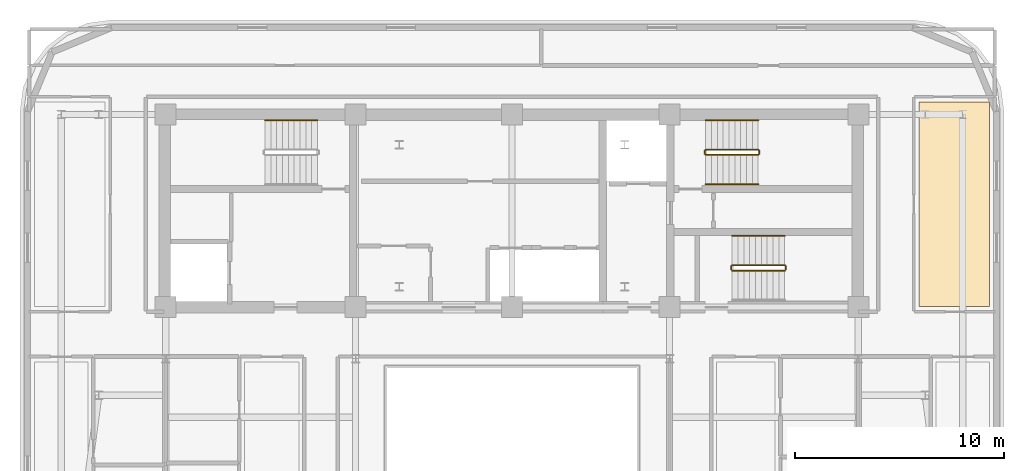
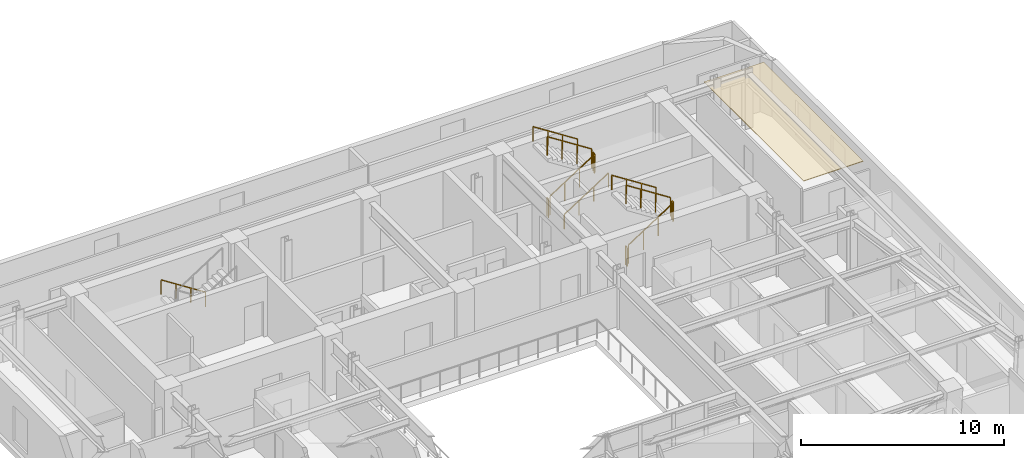
# One storey, part 14 of 14: 12 railings, 1 covering.
"""IFC4 building model written with IfcOpenShell, lengths in metres."""

from ifc_helpers import new_model, si_unit, direction, frame, origin, origin_2d, place, context, subcontext, project, spatial, polyline, rectangle, outline, extrude, material, layer, layer_set, type_object, element, save


model = new_model("IFC4")

# Units and contexts
model_context = context("Model", 3, precision=1e-05, world=origin(), true_north=direction((0.0, 1.0)))
body_context = subcontext(model_context, "Body", "Model", "MODEL_VIEW")
ifc_project = project(units=[si_unit("LENGTHUNIT", "METRE"), si_unit("AREAUNIT", "SQUARE_METRE"), si_unit("VOLUMEUNIT", "CUBIC_METRE"), si_unit("PLANEANGLEUNIT", "RADIAN"), si_unit("MASSUNIT", "GRAM", prefix="KILO")], contexts=[model_context])

# Site, building, storey
site_placement = place(None, origin())
site = spatial("IfcSite", under=ifc_project, at=site_placement, CompositionType="ELEMENT")
building_placement = place(site_placement, origin())
building = spatial("IfcBuilding", under=site, at=building_placement, Name="Zarnavel Station Tower", CompositionType="ELEMENT")
storey_placement = place(building_placement, frame((0.0, 0.0, 193.199951171875)))
storey = spatial("IfcBuildingStorey", under=building, at=storey_placement, Name="L52", CompositionType="ELEMENT", Elevation=193.199951171875)

# Covering
ifc_material_1 = material(Name="Perforated Gypsum and Mineral-Wool Acoustic Ceiling", Category="concrete")
ifc_layer = layer(ifc_material_1, 0.0400390625)
ifc_layer_set = layer_set([ifc_layer], Name="COV_CEIL_ACOUSTIC")
covering_type = type_object("IfcCoveringType", Name="COV_CEIL_ACOUSTIC", PredefinedType="CEILING", material=ifc_layer_set)
covering_placement = place(storey_placement, frame((0.0, 0.0, 3.02001953125)))
element("IfcCovering", 1, at=covering_placement, inside=storey, type_object=covering_type, Name="L52 FNE Acoustic Ceiling", PredefinedType="CEILING", context=body_context, shape_type="SweptSolid", body=[
    extrude(outline(polyline([(48.300048828125, 27.85009765625), (51.68994140625, 27.85009765625), (51.68994140625, 37.64990234375), (48.300048828125, 37.64990234375), (48.300048828125, 27.85009765625)])), origin(), (0.0, 0.0, 1.0), 0.0400390625),
])

# Railings
ifc_material_2 = material(Name="Painted Steel S355J2 Balustrade", Category="steel")
railing_type_1 = type_object("IfcRailingType", Name="GR_INT_1150", PredefinedType="GUARDRAIL", material=ifc_material_2)
railing_1_placement = place(storey_placement, frame((38.080078125, 35.110107421875, 0.179931640625)))
element("IfcRailing", 2, at=railing_1_placement, inside=storey, type_object=railing_type_1, Name="L52 ST2 stair guard 1", PredefinedType="GUARDRAIL", context=body_context, shape_type="SweptSolid", body=[
    extrude(rectangle(XDim=0.048095703125, YDim=0.048095703125, at=origin_2d()), frame((0.001708984375, 0.0, 1.126953125), z_axis=(0.841162588446, 0.0, 0.540782303519), x_axis=(0.0, 1.0, 0.0)), (0.0, 0.0, 1.0), 2.991943359375),
    extrude(rectangle(XDim=0.0419921875, YDim=0.0419921875, at=origin_2d()), origin(), (0.0, 0.0, 1.0), 1.101806640625),
    extrude(rectangle(XDim=0.0419921875, YDim=0.0419921875, at=origin_2d()), frame((0.840087890625, 0.0, 0.5400390625)), (0.0, 0.0, 1.0), 1.101806640625),
    extrude(rectangle(XDim=0.0419921875, YDim=0.0419921875, at=origin_2d()), frame((1.679931640625, 0.0, 1.080078125)), (0.0, 0.0, 1.0), 1.101806640625),
    extrude(rectangle(XDim=0.0419921875, YDim=0.0419921875, at=origin_2d()), frame((2.52001953125, 0.0, 1.6201171875)), (0.0, 0.0, 1.0), 1.101806640625),
])
railing_2_placement = place(storey_placement, frame((40.64990234375, 35.159912109375, 1.800048828125)))
element("IfcRailing", 3, at=railing_2_placement, inside=storey, type_object=railing_type_1, Name="L52 ST2 stair guard 2", PredefinedType="GUARDRAIL", context=body_context, shape_type="SweptSolid", body=[
    extrude(rectangle(XDim=0.048095703125, YDim=0.048095703125, at=origin_2d()), frame((0.0, 0.001953125, 1.1259765625), z_axis=(0.0, 1.0, 0.0), x_axis=(-1.0, 0.0, 0.0)), (0.0, 0.0, 1.0), 0.15625),
    extrude(rectangle(XDim=0.0419921875, YDim=0.0419921875, at=origin_2d()), origin(), (0.0, 0.0, 1.0), 1.101806640625),
    extrude(rectangle(XDim=0.0419921875, YDim=0.0419921875, at=origin_2d()), frame((0.0, 0.16015625, 0.0)), (0.0, 0.0, 1.0), 1.101806640625),
])
railing_3_placement = place(storey_placement, frame((40.60009765625, 35.3701171875, 1.97998046875)))
element("IfcRailing", 4, at=railing_3_placement, inside=storey, type_object=railing_type_1, Name="L52 ST2 stair guard 3", PredefinedType="GUARDRAIL", context=body_context, shape_type="SweptSolid", body=[
    extrude(rectangle(XDim=0.048095703125, YDim=0.048095703125, at=origin_2d()), frame((-0.001708984375, 0.0, 1.126953125), z_axis=(-0.841162588446, 0.0, 0.540782303519), x_axis=(0.0, -1.0, 0.0)), (0.0, 0.0, 1.0), 2.991943359375),
    extrude(rectangle(XDim=0.0419921875, YDim=0.0419921875, at=origin_2d()), origin(), (0.0, 0.0, 1.0), 1.101806640625),
    extrude(rectangle(XDim=0.0419921875, YDim=0.0419921875, at=origin_2d()), frame((-0.840087890625, 0.0, 0.5400390625)), (0.0, 0.0, 1.0), 1.101806640625),
    extrude(rectangle(XDim=0.0419921875, YDim=0.0419921875, at=origin_2d()), frame((-1.679931640625, 0.0, 1.080078125)), (0.0, 0.0, 1.0), 1.101806640625),
    extrude(rectangle(XDim=0.0419921875, YDim=0.0419921875, at=origin_2d()), frame((-2.52001953125, 0.0, 1.6201171875)), (0.0, 0.0, 1.0), 1.101806640625),
])
railing_4_placement = place(storey_placement, frame((38.030029296875, 35.159912109375, 0.0)))
element("IfcRailing", 5, at=railing_4_placement, inside=storey, type_object=railing_type_1, Name="L52 ST2 stair guard 4", PredefinedType="GUARDRAIL", context=body_context, shape_type="SweptSolid", body=[
    extrude(rectangle(XDim=0.048095703125, YDim=0.048095703125, at=origin_2d()), frame((0.0, 0.001953125, 1.1259765625), z_axis=(0.0, 1.0, 0.0), x_axis=(-1.0, 0.0, 0.0)), (0.0, 0.0, 1.0), 0.15625),
    extrude(rectangle(XDim=0.0419921875, YDim=0.0419921875, at=origin_2d()), origin(), (0.0, 0.0, 1.0), 1.101806640625),
    extrude(rectangle(XDim=0.0419921875, YDim=0.0419921875, at=origin_2d()), frame((0.0, 0.16015625, 0.0)), (0.0, 0.0, 1.0), 1.101806640625),
])
railing_5_placement = place(storey_placement, frame((39.35009765625, 29.570068359375, 0.179931640625)))
element("IfcRailing", 6, at=railing_5_placement, inside=storey, type_object=railing_type_1, Name="L52 ST3 stair guard 1", PredefinedType="GUARDRAIL", context=body_context, shape_type="SweptSolid", body=[
    extrude(rectangle(XDim=0.048095703125, YDim=0.048095703125, at=origin_2d()), frame((0.001708984375, 0.0, 1.126953125), z_axis=(0.841162588446, 0.0, 0.540782303519), x_axis=(0.0, 1.0, 0.0)), (0.0, 0.0, 1.0), 2.991943359375),
    extrude(rectangle(XDim=0.0419921875, YDim=0.0419921875, at=origin_2d()), origin(), (0.0, 0.0, 1.0), 1.101806640625),
    extrude(rectangle(XDim=0.0419921875, YDim=0.0419921875, at=origin_2d()), frame((0.840087890625, 0.0, 0.5400390625)), (0.0, 0.0, 1.0), 1.101806640625),
    extrude(rectangle(XDim=0.0419921875, YDim=0.0419921875, at=origin_2d()), frame((1.679931640625, 0.0, 1.080078125)), (0.0, 0.0, 1.0), 1.101806640625),
    extrude(rectangle(XDim=0.0419921875, YDim=0.0419921875, at=origin_2d()), frame((2.52001953125, 0.0, 1.6201171875)), (0.0, 0.0, 1.0), 1.101806640625),
])
railing_6_placement = place(storey_placement, frame((41.919921875, 29.6201171875, 1.800048828125)))
element("IfcRailing", 7, at=railing_6_placement, inside=storey, type_object=railing_type_1, Name="L52 ST3 stair guard 2", PredefinedType="GUARDRAIL", context=body_context, shape_type="SweptSolid", body=[
    extrude(rectangle(XDim=0.048095703125, YDim=0.048095703125, at=origin_2d()), frame((0.0, 0.001953125, 1.1259765625), z_axis=(0.0, 1.0, 0.0), x_axis=(-1.0, 0.0, 0.0)), (0.0, 0.0, 1.0), 0.156005859375),
    extrude(rectangle(XDim=0.0419921875, YDim=0.0419921875, at=origin_2d()), origin(), (0.0, 0.0, 1.0), 1.101806640625),
    extrude(rectangle(XDim=0.0419921875, YDim=0.0419921875, at=origin_2d()), frame((0.0, 0.159912109375, 0.0)), (0.0, 0.0, 1.0), 1.101806640625),
])
railing_7_placement = place(storey_placement, frame((41.8701171875, 29.830078125, 1.97998046875)))
element("IfcRailing", 8, at=railing_7_placement, inside=storey, type_object=railing_type_1, Name="L52 ST3 stair guard 3", PredefinedType="GUARDRAIL", context=body_context, shape_type="SweptSolid", body=[
    extrude(rectangle(XDim=0.048095703125, YDim=0.048095703125, at=origin_2d()), frame((-0.001708984375, 0.0, 1.126953125), z_axis=(-0.841162588446, 0.0, 0.540782303519), x_axis=(0.0, -1.0, 0.0)), (0.0, 0.0, 1.0), 2.991943359375),
    extrude(rectangle(XDim=0.0419921875, YDim=0.0419921875, at=origin_2d()), origin(), (0.0, 0.0, 1.0), 1.101806640625),
    extrude(rectangle(XDim=0.0419921875, YDim=0.0419921875, at=origin_2d()), frame((-0.840087890625, 0.0, 0.5400390625)), (0.0, 0.0, 1.0), 1.101806640625),
    extrude(rectangle(XDim=0.0419921875, YDim=0.0419921875, at=origin_2d()), frame((-1.679931640625, 0.0, 1.080078125)), (0.0, 0.0, 1.0), 1.101806640625),
    extrude(rectangle(XDim=0.0419921875, YDim=0.0419921875, at=origin_2d()), frame((-2.52001953125, 0.0, 1.6201171875)), (0.0, 0.0, 1.0), 1.101806640625),
])
railing_8_placement = place(storey_placement, frame((39.300048828125, 29.6201171875, 0.0)))
element("IfcRailing", 9, at=railing_8_placement, inside=storey, type_object=railing_type_1, Name="L52 ST3 stair guard 4", PredefinedType="GUARDRAIL", context=body_context, shape_type="SweptSolid", body=[
    extrude(rectangle(XDim=0.048095703125, YDim=0.048095703125, at=origin_2d()), frame((0.0, 0.001953125, 1.1259765625), z_axis=(0.0, 1.0, 0.0), x_axis=(-1.0, 0.0, 0.0)), (0.0, 0.0, 1.0), 0.156005859375),
    extrude(rectangle(XDim=0.0419921875, YDim=0.0419921875, at=origin_2d()), origin(), (0.0, 0.0, 1.0), 1.101806640625),
    extrude(rectangle(XDim=0.0419921875, YDim=0.0419921875, at=origin_2d()), frame((0.0, 0.159912109375, 0.0)), (0.0, 0.0, 1.0), 1.101806640625),
])
ifc_material_3 = material(Name="Brushed Stainless Steel S355J2 Handrail", Category="steel")
railing_type_2 = type_object("IfcRailingType", Name="HR_STAIR_900", PredefinedType="HANDRAIL", material=ifc_material_3)
railing_9_placement = place(storey_placement, frame((19.47998046875, 36.77001953125, 0.179931640625)))
element("IfcRailing", 10, at=railing_9_placement, inside=storey, type_object=railing_type_2, Name="L52 ST1 stair handrail 1", PredefinedType="HANDRAIL", context=body_context, shape_type="SweptSolid", body=[
    extrude(rectangle(XDim=0.048095703125, YDim=0.048095703125, at=origin_2d()), frame((-0.001708984375, 0.0, 0.876953125), z_axis=(-0.841162588446, 0.0, 0.540782303519), x_axis=(0.0, -1.0, 0.0)), (0.0, 0.0, 1.0), 2.991943359375),
    extrude(rectangle(XDim=0.0419921875, YDim=0.0419921875, at=origin_2d()), origin(), (0.0, 0.0, 1.0), 0.851806640625),
    extrude(rectangle(XDim=0.0419921875, YDim=0.0419921875, at=origin_2d()), frame((-0.840087890625, 0.0, 0.5400390625)), (0.0, 0.0, 1.0), 0.851806640625),
    extrude(rectangle(XDim=0.0419921875, YDim=0.0419921875, at=origin_2d()), frame((-1.679931640625, 0.0, 1.080078125)), (0.0, 0.0, 1.0), 0.851806640625),
    extrude(rectangle(XDim=0.0419921875, YDim=0.0419921875, at=origin_2d()), frame((-2.52001953125, 0.0, 1.6201171875)), (0.0, 0.0, 1.0), 0.851806640625),
])
railing_10_placement = place(storey_placement, frame((38.080078125, 33.7099609375, 0.179931640625)))
element("IfcRailing", 11, at=railing_10_placement, inside=storey, type_object=railing_type_2, Name="L52 ST2 stair handrail 1", PredefinedType="HANDRAIL", context=body_context, shape_type="SweptSolid", body=[
    extrude(rectangle(XDim=0.048095703125, YDim=0.048095703125, at=origin_2d()), frame((0.001708984375, 0.0, 0.876953125), z_axis=(0.841162588446, 0.0, 0.540782303519), x_axis=(0.0, 1.0, 0.0)), (0.0, 0.0, 1.0), 2.991943359375),
    extrude(rectangle(XDim=0.0419921875, YDim=0.0419921875, at=origin_2d()), origin(), (0.0, 0.0, 1.0), 0.851806640625),
    extrude(rectangle(XDim=0.0419921875, YDim=0.0419921875, at=origin_2d()), frame((0.840087890625, 0.0, 0.5400390625)), (0.0, 0.0, 1.0), 0.851806640625),
    extrude(rectangle(XDim=0.0419921875, YDim=0.0419921875, at=origin_2d()), frame((1.679931640625, 0.0, 1.080078125)), (0.0, 0.0, 1.0), 0.851806640625),
    extrude(rectangle(XDim=0.0419921875, YDim=0.0419921875, at=origin_2d()), frame((2.52001953125, 0.0, 1.6201171875)), (0.0, 0.0, 1.0), 0.851806640625),
])
for number, where, name in (
    (12, (40.60009765625, 36.77001953125, 1.97998046875), "L52 ST2 stair handrail 2"),
    (13, (41.8701171875, 31.22998046875, 1.97998046875), "L52 ST3 stair handrail 2"),
):
    element("IfcRailing", number, at=place(storey_placement, frame(where)), inside=storey, type_object=railing_type_2, Name=name, PredefinedType="HANDRAIL", context=body_context, shape_type="SweptSolid", body=[
        extrude(rectangle(XDim=0.048095703125, YDim=0.048095703125, at=origin_2d()), frame((-0.001708984375, 0.0, 0.876953125), z_axis=(-0.841162588446, 0.0, 0.540782303519), x_axis=(0.0, -1.0, 0.0)), (0.0, 0.0, 1.0), 2.991943359375),
        extrude(rectangle(XDim=0.0419921875, YDim=0.0419921875, at=origin_2d()), origin(), (0.0, 0.0, 1.0), 0.851806640625),
        extrude(rectangle(XDim=0.0419921875, YDim=0.0419921875, at=origin_2d()), frame((-0.840087890625, 0.0, 0.5400390625)), (0.0, 0.0, 1.0), 0.851806640625),
        extrude(rectangle(XDim=0.0419921875, YDim=0.0419921875, at=origin_2d()), frame((-1.679931640625, 0.0, 1.080078125)), (0.0, 0.0, 1.0), 0.851806640625),
        extrude(rectangle(XDim=0.0419921875, YDim=0.0419921875, at=origin_2d()), frame((-2.52001953125, 0.0, 1.6201171875)), (0.0, 0.0, 1.0), 0.851806640625),
    ])

save(model, "model.ifc")
